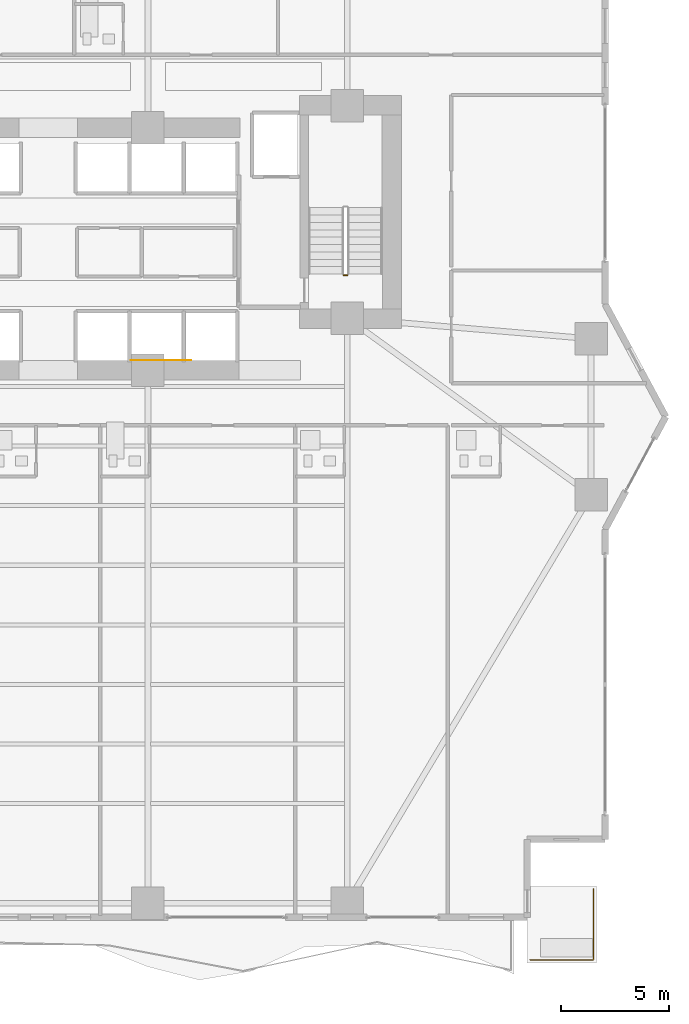
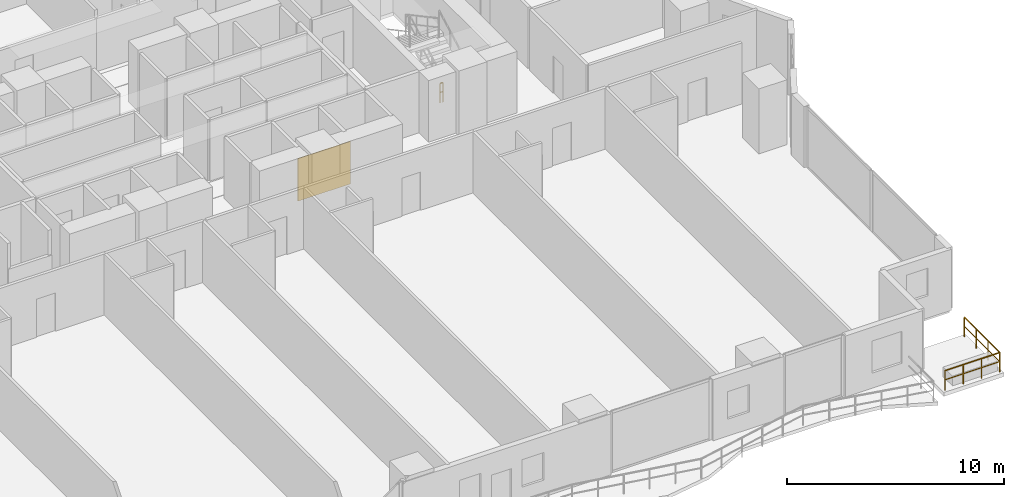
# One storey, part 25 of 29: 2 railings, 1 covering.
"""IFC4 building model written with IfcOpenShell, lengths in metres."""

from ifc_helpers import new_model, si_unit, direction, frame, origin, origin_2d, place, context, subcontext, project, spatial, rectangle, extrude, material, layer, layer_set, type_object, element, save


model = new_model("IFC4")

# Units and contexts
model_context = context("Model", 3, precision=1e-05, world=origin(), true_north=direction((0.0, 1.0)))
body_context = subcontext(model_context, "Body", "Model", "MODEL_VIEW")
ifc_project = project(units=[si_unit("LENGTHUNIT", "METRE"), si_unit("AREAUNIT", "SQUARE_METRE"), si_unit("VOLUMEUNIT", "CUBIC_METRE"), si_unit("PLANEANGLEUNIT", "RADIAN"), si_unit("MASSUNIT", "GRAM", prefix="KILO")], contexts=[model_context])

# Site, building, storey
site_placement = place(None, origin())
site = spatial("IfcSite", under=ifc_project, at=site_placement, CompositionType="ELEMENT")
building_placement = place(site_placement, origin())
building = spatial("IfcBuilding", under=site, at=building_placement, Name="Zuhayl Quay Hotel", CompositionType="ELEMENT")
storey_placement = place(building_placement, frame((0.0, 0.0, 45.85009765625)))
storey = spatial("IfcBuildingStorey", under=building, at=storey_placement, Name="L10", CompositionType="ELEMENT", Elevation=45.85009765625)

# Covering
ifc_material_1 = material(Name="Acoustic Walnut Feature Timber", Category="wood")
ifc_layer = layer(ifc_material_1, 0.02197265625, Name="Acoustic Walnut Feature Timber", Category="wood")
ifc_layer_set = layer_set([ifc_layer], Name="Acoustic Walnut Feature Timber")
covering_type = type_object("IfcCoveringType", Name="CV_WALL_CLAD", PredefinedType="CLADDING", material=ifc_layer_set)
covering_placement = place(storey_placement, frame((5.199951171875, 2.611083984375, 0.300048828125), z_axis=(0.0, 0.0, 1.0), x_axis=(1.0, 0.0, 0.0)))
element("IfcCovering", 1, at=covering_placement, inside=storey, type_object=covering_type, Name="L10 Feature Lobby Walnut Wall Cladding E", PredefinedType="CLADDING", context=body_context, shape_type="SweptSolid", body=[
    extrude(rectangle(XDim=2.800048828125, YDim=0.02197265625, at=origin_2d()), origin(), (0.0, 0.0, 1.0), 2.39990234375),
])

# Railings
ifc_material_2 = material(Name="Anodised Aluminium and Laminated Glass", Category="aluminium")
railing_type_1 = type_object("IfcRailingType", Name="RL_EXT_BAL_1100", PredefinedType="BALUSTRADE", material=ifc_material_2)
railing_1_placement = place(storey_placement, frame((22.239990234375, -25.06005859375, 0.0)))
element("IfcRailing", 2, at=railing_1_placement, inside=storey, type_object=railing_type_1, Name="L10 Balcony and Terrace Guard GR_L10_SPIRAL_SE", PredefinedType="BALUSTRADE", context=body_context, shape_type="SweptSolid", body=[
    extrude(rectangle(XDim=0.048095703125, YDim=0.048095703125, at=origin_2d()), frame((0.0, 0.0, 1.09619140625), z_axis=(1.0, 0.0, 0.0), x_axis=(0.0, 1.0, 0.0)), (0.0, 0.0, 1.0), 2.919921875),
    extrude(rectangle(XDim=0.0361328125, YDim=0.0361328125, at=origin_2d()), frame((0.0, 0.0, 0.58251953125), z_axis=(1.0, 0.0, 0.0), x_axis=(0.0, 1.0, 0.0)), (0.0, 0.0, 1.0), 2.919921875),
    extrude(rectangle(XDim=0.048095703125, YDim=0.048095703125, at=origin_2d()), frame((2.919921875, 0.0, 1.09619140625), z_axis=(0.0, 1.0, 0.0), x_axis=(-1.0, 0.0, 0.0)), (0.0, 0.0, 1.0), 3.27001953125),
    extrude(rectangle(XDim=0.0361328125, YDim=0.0361328125, at=origin_2d()), frame((2.919921875, 0.0, 0.58251953125), z_axis=(0.0, 1.0, 0.0), x_axis=(-1.0, 0.0, 0.0)), (0.0, 0.0, 1.0), 3.27001953125),
    extrude(rectangle(XDim=0.0419921875, YDim=0.0419921875, at=origin_2d()), origin(), (0.0, 0.0, 1.0), 1.072021484375),
    extrude(rectangle(XDim=0.0419921875, YDim=0.0419921875, at=origin_2d()), frame((0.973388671875, 0.0, 0.0)), (0.0, 0.0, 1.0), 1.072021484375),
    extrude(rectangle(XDim=0.0419921875, YDim=0.0419921875, at=origin_2d()), frame((1.946533203125, 0.0, 0.0)), (0.0, 0.0, 1.0), 1.072021484375),
    extrude(rectangle(XDim=0.0419921875, YDim=0.0419921875, at=origin_2d()), frame((2.919921875, 0.0, 0.0)), (0.0, 0.0, 1.0), 1.072021484375),
    extrude(rectangle(XDim=0.0419921875, YDim=0.0419921875, at=origin_2d()), frame((2.919921875, 1.090087890625, 0.0)), (0.0, 0.0, 1.0), 1.072021484375),
    extrude(rectangle(XDim=0.0419921875, YDim=0.0419921875, at=origin_2d()), frame((2.919921875, 2.179931640625, 0.0)), (0.0, 0.0, 1.0), 1.072021484375),
    extrude(rectangle(XDim=0.0419921875, YDim=0.0419921875, at=origin_2d()), frame((2.919921875, 3.27001953125, 0.0)), (0.0, 0.0, 1.0), 1.072021484375),
])
ifc_material_3 = material(Name="Steel ASTM A992 Grade 50", Category="steel")
railing_type_2 = type_object("IfcRailingType", Name="RL_GUARD_1100", PredefinedType="GUARDRAIL", material=ifc_material_3)
railing_2_placement = place(storey_placement, frame((13.7900390625, 6.5400390625, 0.0)))
element("IfcRailing", 3, at=railing_2_placement, inside=storey, type_object=railing_type_2, Name="L10 ST2 stair guard 4", PredefinedType="GUARDRAIL", context=body_context, shape_type="SweptSolid", body=[
    extrude(rectangle(XDim=0.048095703125, YDim=0.048095703125, at=origin_2d()), frame((0.0, 0.0, 1.09619140625), z_axis=(-1.0, 0.0, 0.0), x_axis=(0.0, -1.0, 0.0)), (0.0, 0.0, 1.0), 0.150146484375),
    extrude(rectangle(XDim=0.0361328125, YDim=0.0361328125, at=origin_2d()), frame((0.0, 0.0, 0.58251953125), z_axis=(-1.0, 0.0, 0.0), x_axis=(0.0, -1.0, 0.0)), (0.0, 0.0, 1.0), 0.150146484375),
    extrude(rectangle(XDim=0.0419921875, YDim=0.0419921875, at=origin_2d()), origin(), (0.0, 0.0, 1.0), 1.072021484375),
    extrude(rectangle(XDim=0.0419921875, YDim=0.0419921875, at=origin_2d()), frame((-0.150146484375, 0.0, 0.0)), (0.0, 0.0, 1.0), 1.072021484375),
])

save(model, "model.ifc")
